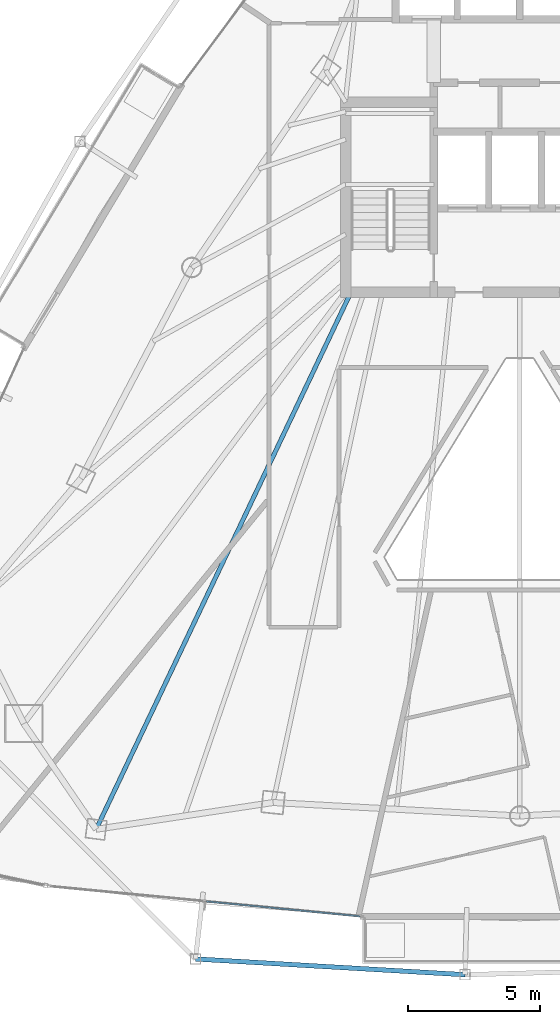
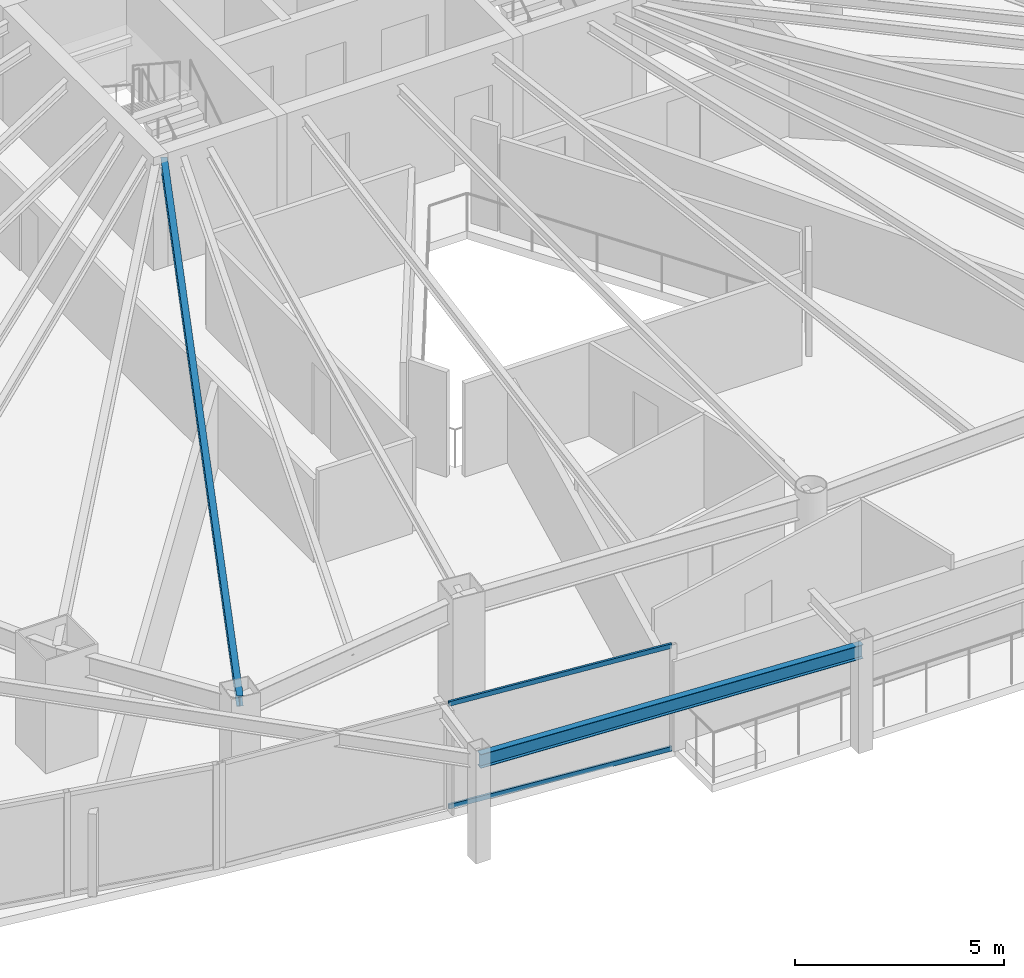
# One storey, part 6 of 33: 2 beams, 2 members, 1 element without a shape of its own.
"""IFC4 building model written with IfcOpenShell, lengths in metres."""

from ifc_helpers import new_model, si_unit, direction, frame, origin, origin_2d, place, context, subcontext, project, spatial, hollow_rectangle, i_section, extrude, material, layer, layer_set, material_profile, profile_set, type_object, element, aggregate, save


model = new_model("IFC4")

# Units and contexts
model_context = context("Model", 3, precision=1e-05, world=origin(), true_north=direction((0.0, 1.0)))
body_context = subcontext(model_context, "Body", "Model", "MODEL_VIEW")
ifc_project = project(units=[si_unit("LENGTHUNIT", "METRE"), si_unit("AREAUNIT", "SQUARE_METRE"), si_unit("VOLUMEUNIT", "CUBIC_METRE"), si_unit("PLANEANGLEUNIT", "RADIAN"), si_unit("MASSUNIT", "GRAM", prefix="KILO")], contexts=[model_context])

# Site, building, storey
site_placement = place(None, origin())
site = spatial("IfcSite", under=ifc_project, at=site_placement, CompositionType="ELEMENT")
building_placement = place(site_placement, origin())
building = spatial("IfcBuilding", under=site, at=building_placement, Name="Orvanel Arch Residences", CompositionType="ELEMENT")
storey_placement = place(building_placement, frame((0.0, 0.0, 119.89990234375)))
storey = spatial("IfcBuildingStorey", under=building, at=storey_placement, Name="L33", CompositionType="ELEMENT", Elevation=119.89990234375)

# Beams
ifc_material_1 = material(Name="Structural steel AS/NZS 3679.1 Grade 300 (300 MPa)", Category="steel")
ifc_material_profile_1 = material_profile(ifc_material_1, i_section(OverallWidth=0.1650390625, OverallDepth=0.303955078125, WebThickness=0.006103515625, FlangeThickness=0.01025390625, at=origin_2d()), Name="310UB40.4")
ifc_profile_set_1 = profile_set([ifc_material_profile_1], Name="Structural steel AS/NZS 3679.1 Grade 300 (300 MPa)")
beam_type_1 = type_object("IfcBeamType", Name="BJ-310UB", PredefinedType="JOIST", material=ifc_profile_set_1)
beam_1_placement = place(storey_placement, frame((26.60009765625, 26.699951171875, 2.908203125), z_axis=(-0.428614365266, -0.903487534993, 0.0), x_axis=(0.903487534993, -0.428614365266, 0.0)))
element("IfcBeam", 1, at=beam_1_placement, inside=storey, type_object=beam_type_1, Name="L33 MSW Wing Floor Joist", PredefinedType="JOIST", context=body_context, shape_type="SweptSolid", body=[
    extrude(i_section(OverallWidth=0.1650390625, OverallDepth=0.303955078125, WebThickness=0.006103515625, FlangeThickness=0.01025390625, at=origin_2d()), origin(), (0.0, 0.0, 1.0), 22.535888671875),
])
ifc_material_profile_2 = material_profile(ifc_material_1, i_section(OverallWidth=0.177978515625, OverallDepth=0.406005859375, WebThickness=0.0078125, FlangeThickness=0.0126953125, at=origin_2d()), Name="410UB59.7")
ifc_profile_set_2 = profile_set([ifc_material_profile_2], Name="Structural steel AS/NZS 3679.1 Grade 300 (300 MPa)")
beam_type_2 = type_object("IfcBeamType", Name="OB-410UB-EXT", PredefinedType="SPANDREL", material=ifc_profile_set_2)
beam_2_placement = place(storey_placement, frame((20.70703125, 1.424072265625, 2.857177734375), z_axis=(0.998290703573, -0.058443743548, 0.0), x_axis=(0.058443743548, 0.998290703573, 0.0)))
element("IfcBeam", 2, at=beam_2_placement, inside=storey, type_object=beam_type_2, Name="L33 Outer Perimeter Floor Ring Beam 05", PredefinedType="SPANDREL", context=body_context, shape_type="SweptSolid", body=[
    extrude(i_section(OverallWidth=0.177978515625, OverallDepth=0.406005859375, WebThickness=0.0078125, FlangeThickness=0.0126953125, at=origin_2d()), origin(), (0.0, 0.0, 1.0), 10.234619140625),
])

# Curtain wall, members
ifc_material_2 = material(Name="Bronze-anodised aluminium AA6063-T6", Category="aluminium")
ifc_layer = layer(ifc_material_2, 0.179931640625)
ifc_layer_set = layer_set([ifc_layer], Name="Bronze-anodised aluminium AA6063-T6")
curtain_wall_type = type_object("IfcCurtainWallType", Name="CW3-MID-SYS", PredefinedType="NOTDEFINED", material=ifc_layer_set)
curtain_wall_placement = place(storey_placement, origin())
curtain_wall = element("IfcCurtainWall", 3, at=curtain_wall_placement, inside=storey, type_object=curtain_wall_type, Name="L33 CW3-MID-SYS Unitised Curtain Wall", PredefinedType="NOTDEFINED")
ifc_material_profile_3 = material_profile(ifc_material_2, hollow_rectangle(XDim=0.06005859375, YDim=0.135009765625, WallThickness=0.00390625, at=origin_2d()), Name="ALU135x60x4")
ifc_profile_set_3 = profile_set([ifc_material_profile_3], Name="Bronze-anodised aluminium AA6063-T6")
member_type = type_object("IfcMemberType", Name="TRN-135x60", PredefinedType="USERDEFINED", material=ifc_profile_set_3)
member_1_placement = place(storey_placement, frame((21.117431640625, 3.605712890625, 0.030029296875), z_axis=(0.99536005659, -0.096220360342, 0.0), x_axis=(0.096220360342, 0.99536005659, 0.0)))
member_1 = element("IfcMember", 4, at=member_1_placement, type_object=member_type, Name="CW-S3 transom 2.1", ObjectType="TRANSOM", PredefinedType="USERDEFINED", context=body_context, shape_type="SweptSolid", body=[
    extrude(hollow_rectangle(XDim=0.06005859375, YDim=0.135009765625, WallThickness=0.00390625, at=origin_2d()), origin(), (0.0, 0.0, 1.0), 5.861083984375),
])
member_2_placement = place(storey_placement, frame((21.117431640625, 3.605712890625, 3.030029296875), z_axis=(0.99536005659, -0.096220360342, 0.0), x_axis=(0.096220360342, 0.99536005659, 0.0)))
member_2 = element("IfcMember", 5, at=member_2_placement, type_object=member_type, Name="CW-S3 transom 2.2", ObjectType="TRANSOM", PredefinedType="USERDEFINED", context=body_context, shape_type="SweptSolid", body=[
    extrude(hollow_rectangle(XDim=0.06005859375, YDim=0.135009765625, WallThickness=0.00390625, at=origin_2d()), origin(), (0.0, 0.0, 1.0), 5.861083984375),
])
aggregate(curtain_wall, [member_1, member_2])

save(model, "model.ifc")
